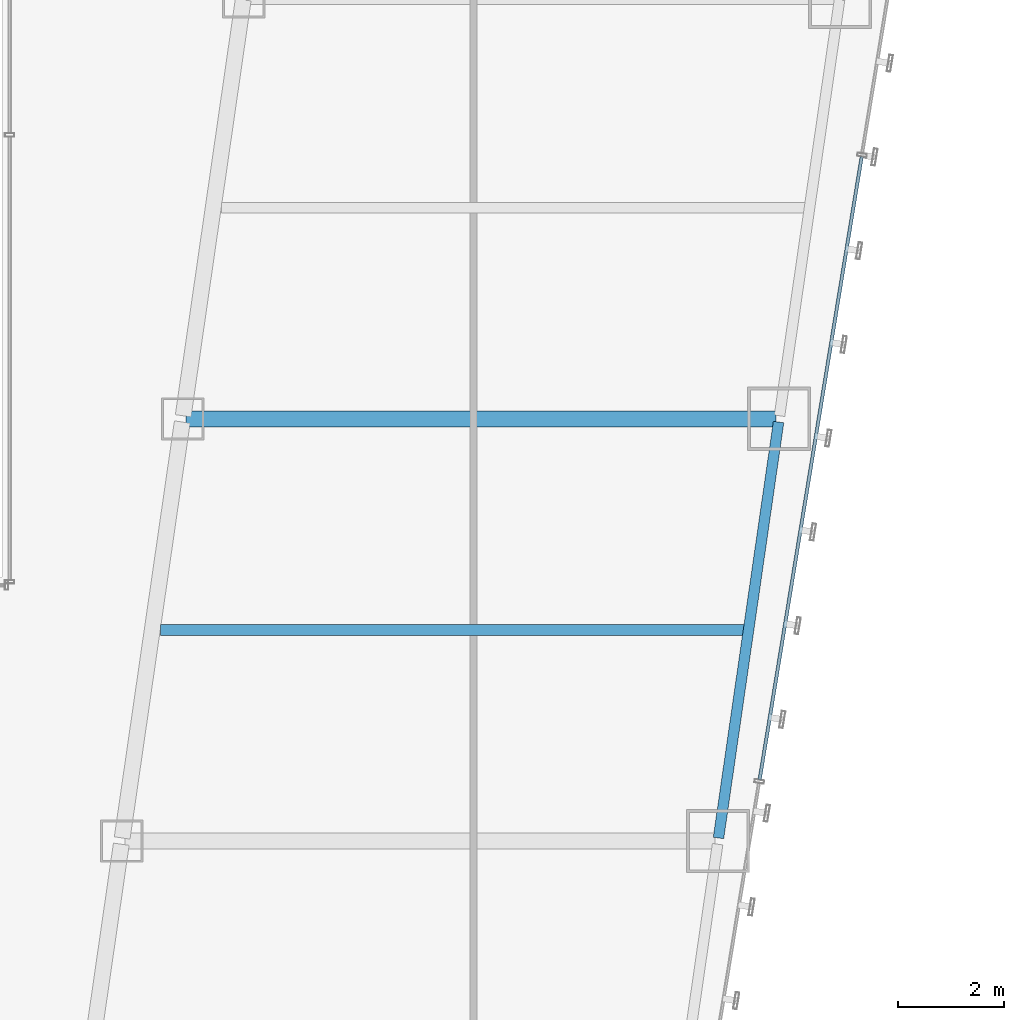
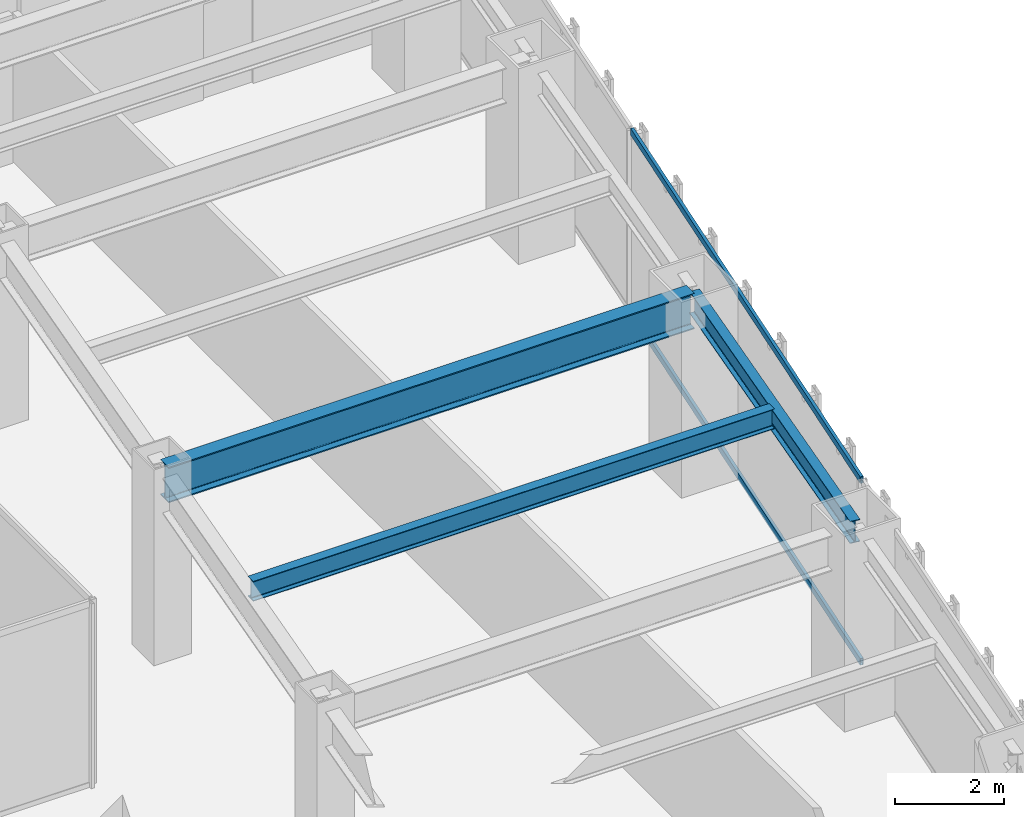
# One storey, part 19 of 47: 3 beams, 2 members, 1 element without a shape of its own.
"""IFC4 building model written with IfcOpenShell, lengths in metres."""

from ifc_helpers import new_model, si_unit, direction, frame, origin, origin_2d, place, context, subcontext, project, spatial, hollow_rectangle, i_section, extrude, material, material_profile, profile_set, type_object, element, aggregate, save


model = new_model("IFC4")

# Units and contexts
model_context = context("Model", 3, precision=1e-05, world=origin(), true_north=direction((0.0, 1.0)))
body_context = subcontext(model_context, "Body", "Model", "MODEL_VIEW")
ifc_project = project(units=[si_unit("LENGTHUNIT", "METRE"), si_unit("AREAUNIT", "SQUARE_METRE"), si_unit("VOLUMEUNIT", "CUBIC_METRE"), si_unit("PLANEANGLEUNIT", "RADIAN"), si_unit("MASSUNIT", "GRAM", prefix="KILO")], contexts=[model_context])

# Site, building, storey
site_placement = place(None, origin())
site = spatial("IfcSite", under=ifc_project, at=site_placement, CompositionType="ELEMENT")
building_placement = place(site_placement, origin())
building = spatial("IfcBuilding", under=site, at=building_placement, Name="Saevonmaru Cultural Tower", CompositionType="ELEMENT")
storey_placement = place(building_placement, frame((0.0, 0.0, 78.0)))
storey = spatial("IfcBuildingStorey", under=building, at=storey_placement, Name="L16", CompositionType="ELEMENT", Elevation=78.0)

# Beams
ifc_material_1 = material(Name="Steel SM420", Category="steel")
ifc_material_profile_1 = material_profile(ifc_material_1, i_section(OverallWidth=0.300048828125, OverallDepth=0.800048828125, WebThickness=0.013916015625, FlangeThickness=0.02587890625, FilletRadius=0.028076171875, at=origin_2d()), Name="H-800x300x14x26")
ifc_profile_set_1 = profile_set([ifc_material_profile_1], Name="Steel SM420")
beam_type_1 = type_object("IfcBeamType", Name="BM-G-H800", PredefinedType="BEAM", material=ifc_profile_set_1)
beam_1_placement = place(storey_placement, frame((39.2880859375, 24.0, 3.75), z_axis=(1.0, 0.0, 0.0), x_axis=(0.0, 1.0, 0.0)))
element("IfcBeam", 1, at=beam_1_placement, inside=storey, type_object=beam_type_1, Name="L16 East Wing Transverse Girder 4", PredefinedType="BEAM", context=body_context, shape_type="SweptSolid", body=[
    extrude(i_section(OverallWidth=0.300048828125, OverallDepth=0.800048828125, WebThickness=0.013916015625, FlangeThickness=0.02587890625, FilletRadius=0.028076171875, at=origin_2d()), origin(), (0.0, 0.0, 1.0), 11.179931640625),
])
ifc_material_2 = material(Name="Steel SM355", Category="steel")
ifc_material_profile_2 = material_profile(ifc_material_2, i_section(OverallWidth=0.199951171875, OverallDepth=0.449951171875, WebThickness=0.009033203125, FlangeThickness=0.013916015625, FilletRadius=0.01806640625, at=origin_2d()), Name="H-450x200x9x14")
ifc_profile_set_2 = profile_set([ifc_material_profile_2], Name="Steel SM355")
beam_type_2 = type_object("IfcBeamType", Name="BM-J-H450", PredefinedType="JOIST", material=ifc_profile_set_2)
beam_2_placement = place(storey_placement, frame((38.80810546875, 20.0, 3.925048828125), z_axis=(1.0, 0.0, 0.0), x_axis=(0.0, 1.0, 0.0)))
element("IfcBeam", 2, at=beam_2_placement, inside=storey, type_object=beam_type_2, Name="L16 East Wing Floor Joist 3", PredefinedType="JOIST", context=body_context, shape_type="SweptSolid", body=[
    extrude(i_section(OverallWidth=0.199951171875, OverallDepth=0.449951171875, WebThickness=0.009033203125, FlangeThickness=0.013916015625, FilletRadius=0.01806640625, at=origin_2d()), origin(), (0.0, 0.0, 1.0), 11.081787109375),
])
ifc_material_profile_3 = material_profile(ifc_material_2, i_section(OverallWidth=0.199951171875, OverallDepth=0.5, WebThickness=0.010009765625, FlangeThickness=0.01611328125, FilletRadius=0.02001953125, at=origin_2d()), Name="H-500x200x10x16")
ifc_profile_set_3 = profile_set([ifc_material_profile_3], Name="Steel SM355")
beam_type_3 = type_object("IfcBeamType", Name="BM-SP-H500", PredefinedType="SPANDREL", material=ifc_profile_set_3)
beam_3_placement = place(storey_placement, frame((49.380615234375, 16.059326171875, 3.89990234375), z_axis=(0.142992129437, 0.989723825579, 0.0), x_axis=(-0.989723825579, 0.142992129437, 0.0)))
element("IfcBeam", 3, at=beam_3_placement, inside=storey, type_object=beam_type_3, Name="L16 East Splayed Spandrel 3", PredefinedType="SPANDREL", context=body_context, shape_type="SweptSolid", body=[
    extrude(i_section(OverallWidth=0.199951171875, OverallDepth=0.5, WebThickness=0.010009765625, FlangeThickness=0.01611328125, FilletRadius=0.02001953125, at=origin_2d()), origin(), (0.0, 0.0, 1.0), 7.963134765625),
])

# Curtain wall, members
ifc_material_3 = material(Name="Satin Bronze Anodised Aluminium", Category="aluminium")
curtain_wall_type = type_object("IfcCurtainWallType", Name="CW-TYP-A", PredefinedType="NOTDEFINED", material=ifc_material_3)
curtain_wall_placement = place(storey_placement, origin())
curtain_wall = element("IfcCurtainWall", 4, at=curtain_wall_placement, inside=storey, type_object=curtain_wall_type, Name="L16 Unitised Curtain Wall E8", PredefinedType="NOTDEFINED")
ifc_material_profile_4 = material_profile(ifc_material_3, hollow_rectangle(XDim=0.06494140625, YDim=0.14990234375, WallThickness=0.00390625, at=origin_2d()), Name="ALU-TRAN-150x65x4")
ifc_profile_set_4 = profile_set([ifc_material_profile_4], Name="Satin Bronze Anodised Aluminium")
member_type = type_object("IfcMemberType", Name="TR-CW-150x65", PredefinedType="USERDEFINED", material=ifc_profile_set_4)
member_1_placement = place(storey_placement, frame((50.16015625, 17.16162109375, 0.032470703125), z_axis=(0.161701400727, 0.986839732177, 0.0), x_axis=(-0.986839732177, 0.161701400727, 0.0)))
member_1 = element("IfcMember", 5, at=member_1_placement, type_object=member_type, Name="CW-TW-L16-E8 transom 2.1", ObjectType="TRANSOM", PredefinedType="USERDEFINED", context=body_context, shape_type="SweptSolid", body=[
    extrude(hollow_rectangle(XDim=0.06494140625, YDim=0.14990234375, WallThickness=0.00390625, at=origin_2d()), origin(), (0.0, 0.0, 1.0), 11.9638671875),
])
member_2_placement = place(storey_placement, frame((50.16015625, 17.16162109375, 4.117431640625), z_axis=(0.161701400727, 0.986839732177, 0.0), x_axis=(-0.986839732177, 0.161701400727, 0.0)))
member_2 = element("IfcMember", 6, at=member_2_placement, type_object=member_type, Name="CW-TW-L16-E8 transom 2.2", ObjectType="TRANSOM", PredefinedType="USERDEFINED", context=body_context, shape_type="SweptSolid", body=[
    extrude(hollow_rectangle(XDim=0.06494140625, YDim=0.14990234375, WallThickness=0.00390625, at=origin_2d()), origin(), (0.0, 0.0, 1.0), 11.9638671875),
])
aggregate(curtain_wall, [member_1, member_2])

save(model, "model.ifc")
